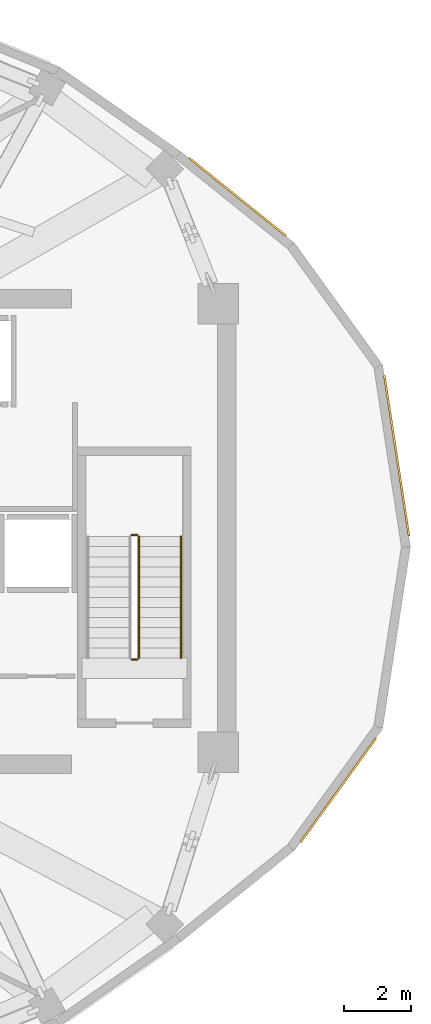
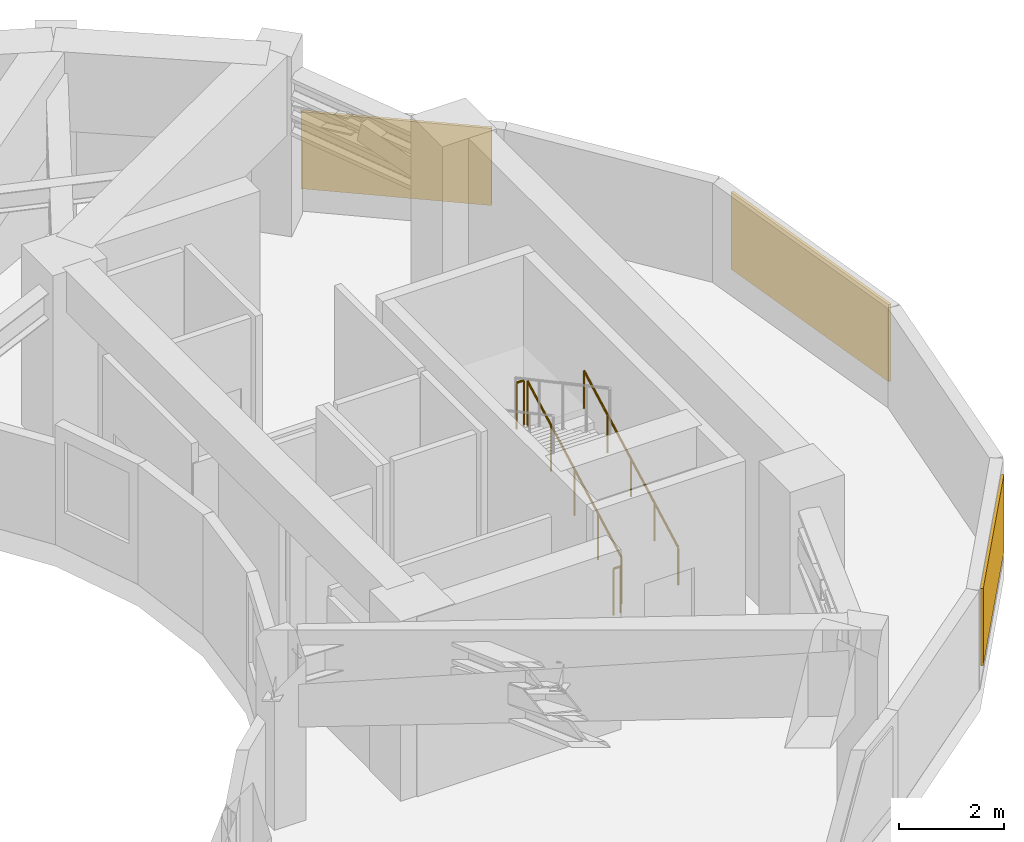
# One storey, part 9 of 10: 4 railings, 3 shading devices.
"""IFC4 building model written with IfcOpenShell, lengths in metres."""

from ifc_helpers import new_model, si_unit, direction, frame, origin, origin_2d, place, context, subcontext, project, spatial, rectangle, circle, extrude, material, layer, layer_set, type_object, element, save


model = new_model("IFC4")

# Units and contexts
model_context = context("Model", 3, precision=1e-05, world=origin(), true_north=direction((0.0, 1.0)))
body_context = subcontext(model_context, "Body", "Model", "MODEL_VIEW")
ifc_project = project(units=[si_unit("LENGTHUNIT", "METRE"), si_unit("AREAUNIT", "SQUARE_METRE"), si_unit("VOLUMEUNIT", "CUBIC_METRE"), si_unit("PLANEANGLEUNIT", "RADIAN"), si_unit("MASSUNIT", "GRAM", prefix="KILO")], contexts=[model_context])

# Site, building, storey
site_placement = place(None, origin())
site = spatial("IfcSite", under=ifc_project, at=site_placement, CompositionType="ELEMENT")
building_placement = place(site_placement, origin())
building = spatial("IfcBuilding", under=site, at=building_placement, Name="Solvane Sanctuary Tower", CompositionType="ELEMENT")
storey_placement = place(building_placement, frame((0.0, 0.0, 193.199951171875)))
storey = spatial("IfcBuildingStorey", under=building, at=storey_placement, Name="L59", CompositionType="ELEMENT", Elevation=193.199951171875)

# Railings
ifc_material_1 = material(Name="Architectural Stainless Steel 316", Category="steel")
railing_type_1 = type_object("IfcRailingType", Name="Railing GR-BALC-1150", PredefinedType="BALUSTRADE", material=ifc_material_1)
railing_1_placement = place(storey_placement, frame((46.340087890625, 19.699951171875, 0.16162109375)))
element("IfcRailing", 1, at=railing_1_placement, inside=storey, type_object=railing_type_1, Name="L59 ST-2 stair guard 1", PredefinedType="BALUSTRADE", context=body_context, shape_type="SweptSolid", body=[
    extrude(circle(Radius=0.02392578125, at=origin_2d()), frame((0.0, 0.0, 1.076171875), z_axis=(0.0, 0.880474934443, 0.474092701714), x_axis=(-1.0, 0.0, 0.0)), (0.0, 0.0, 1.0), 4.0888671875),
    extrude(circle(Radius=0.02099609375, at=origin_2d()), origin(), (0.0, 0.0, 1.0), 1.052001953125),
    extrude(circle(Radius=0.02099609375, at=origin_2d()), frame((0.0, 0.89990234375, 0.484619140625)), (0.0, 0.0, 1.0), 1.052001953125),
    extrude(circle(Radius=0.02099609375, at=origin_2d()), frame((0.0, 1.800048828125, 0.96923828125)), (0.0, 0.0, 1.0), 1.052001953125),
    extrude(circle(Radius=0.02099609375, at=origin_2d()), frame((0.0, 2.7001953125, 1.453857421875)), (0.0, 0.0, 1.0), 1.052001953125),
    extrude(circle(Radius=0.02099609375, at=origin_2d()), frame((0.0, 3.60009765625, 1.9384765625)), (0.0, 0.0, 1.0), 1.052001953125),
])
for number, where, name in (
    (2, (46.2900390625, 23.35009765625, 2.10009765625), "L59 ST-2 stair guard 2"),
    (3, (46.2900390625, 19.64990234375, 0.0), "L59 ST-2 stair guard 4"),
):
    element("IfcRailing", number, at=place(storey_placement, frame(where)), inside=storey, type_object=railing_type_1, Name=name, PredefinedType="BALUSTRADE", context=body_context, shape_type="SweptSolid", body=[
        extrude(circle(Radius=0.02392578125, at=origin_2d()), frame((0.0, 0.0, 1.076171875), z_axis=(-1.0, 0.0, 0.0), x_axis=(0.0, -1.0, 0.0)), (0.0, 0.0, 1.0), 0.16015625),
        extrude(circle(Radius=0.02099609375, at=origin_2d()), origin(), (0.0, 0.0, 1.0), 1.052001953125),
        extrude(circle(Radius=0.02099609375, at=origin_2d()), frame((-0.16015625, 0.0, 0.0)), (0.0, 0.0, 1.0), 1.052001953125),
    ])
railing_type_2 = type_object("IfcRailingType", Name="Railing HR-STAIR-920", PredefinedType="HANDRAIL", material=ifc_material_1)
railing_2_placement = place(storey_placement, frame((47.590087890625, 19.699951171875, 0.16162109375)))
element("IfcRailing", 4, at=railing_2_placement, inside=storey, type_object=railing_type_2, Name="L59 ST-2 stair handrail 1", PredefinedType="HANDRAIL", context=body_context, shape_type="SweptSolid", body=[
    extrude(circle(Radius=0.02392578125, at=origin_2d()), frame((0.0, 0.0, 0.8759765625), z_axis=(0.0, 0.880474934443, 0.474092701714), x_axis=(-1.0, 0.0, 0.0)), (0.0, 0.0, 1.0), 4.0888671875),
    extrude(circle(Radius=0.02099609375, at=origin_2d()), origin(), (0.0, 0.0, 1.0), 0.851806640625),
    extrude(circle(Radius=0.02099609375, at=origin_2d()), frame((0.0, 0.89990234375, 0.484619140625)), (0.0, 0.0, 1.0), 0.851806640625),
    extrude(circle(Radius=0.02099609375, at=origin_2d()), frame((0.0, 1.800048828125, 0.96923828125)), (0.0, 0.0, 1.0), 0.851806640625),
    extrude(circle(Radius=0.02099609375, at=origin_2d()), frame((0.0, 2.7001953125, 1.453857421875)), (0.0, 0.0, 1.0), 0.851806640625),
    extrude(circle(Radius=0.02099609375, at=origin_2d()), frame((0.0, 3.60009765625, 1.9384765625)), (0.0, 0.0, 1.0), 0.851806640625),
])

# Shading devices
ifc_material_2 = material(Name="Anodised Aluminium 6063-T6", Category="aluminium")
ifc_layer = layer(ifc_material_2, 0.06005859375, Name="Anodised Aluminium 6063-T6")
ifc_layer_set = layer_set([ifc_layer], Name="Anodised Aluminium 6063-T6")
shading_device_type = type_object("IfcShadingDeviceType", Name="Shading SHD-LOUVRE", PredefinedType="JALOUSIE", material=ifc_layer_set)
shading_device_1_placement = place(storey_placement, frame((53.98681640625, 25.6982421875, 0.35009765625), z_axis=(0.0, 0.0, 1.0), x_axis=(-0.151947432122, 0.988388576356, 0.0)))
element("IfcShadingDevice", 5, at=shading_device_1_placement, inside=storey, type_object=shading_device_type, Name="L59 Plant Intake Louvre 00", PredefinedType="JALOUSIE", context=body_context, shape_type="SweptSolid", body=[
    extrude(rectangle(XDim=4.81689453125, YDim=0.06005859375, at=origin_2d()), origin(), (0.0, 0.0, 1.0), 1.800048828125),
])
shading_device_2_placement = place(storey_placement, frame((49.26611328125, 33.375244140625, 0.35009765625), z_axis=(0.0, 0.0, 1.0), x_axis=(-0.779585064669, 0.626296357122, 0.0)))
element("IfcShadingDevice", 6, at=shading_device_2_placement, inside=storey, type_object=shading_device_type, Name="L59 Plant Intake Louvre 02", PredefinedType="JALOUSIE", context=body_context, shape_type="SweptSolid", body=[
    extrude(rectangle(XDim=3.682861328125, YDim=0.06005859375, at=origin_2d()), origin(), (0.0, 0.0, 1.0), 1.800048828125),
])
shading_device_3_placement = place(storey_placement, frame((52.255615234375, 15.7783203125, 0.35009765625), z_axis=(0.0, 0.0, 1.0), x_axis=(0.587011207002, 0.809578805833, 0.0)))
element("IfcShadingDevice", 7, at=shading_device_3_placement, inside=storey, type_object=shading_device_type, Name="L59 Plant Intake Louvre 22", PredefinedType="JALOUSIE", context=body_context, shape_type="SweptSolid", body=[
    extrude(rectangle(XDim=3.810791015625, YDim=0.06005859375, at=origin_2d()), origin(), (0.0, 0.0, 1.0), 1.800048828125),
])

save(model, "model.ifc")
